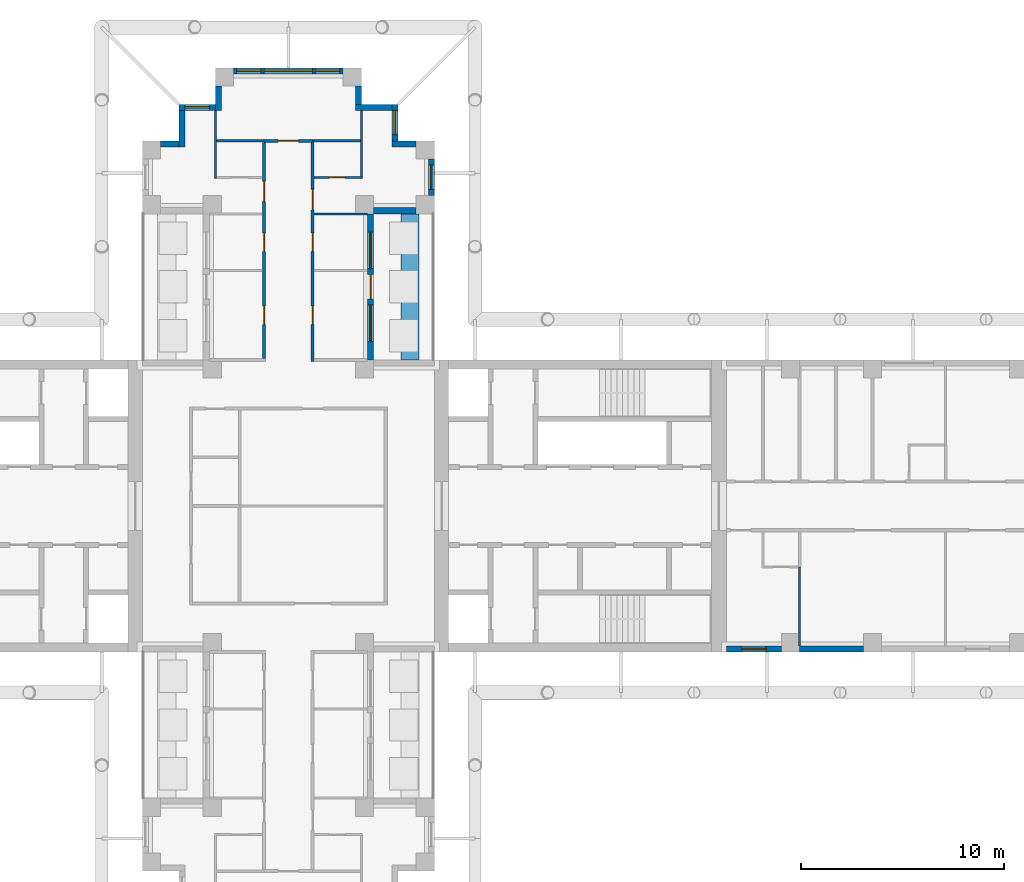
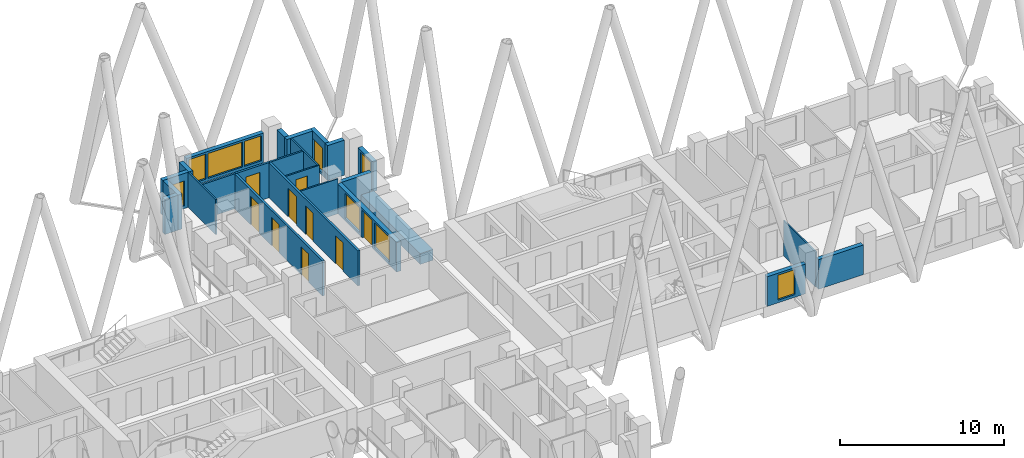
# One storey, part 8 of 13: 25 walls, 9 doors, 9 windows, 18 openings.
"""IFC4 building model written with IfcOpenShell, lengths in metres."""

from ifc_helpers import new_model, si_unit, direction, frame, frame_2d, origin, place, context, subcontext, project, spatial, rectangle, extrude, material, layer, layer_set, type_object, element, fill, save


model = new_model("IFC4")

# Units and contexts
model_context = context("Model", 3, precision=1e-05, world=origin(), true_north=direction((0.0, 1.0)))
body_context = subcontext(model_context, "Body", "Model", "MODEL_VIEW")
ifc_project = project(units=[si_unit("LENGTHUNIT", "METRE"), si_unit("AREAUNIT", "SQUARE_METRE"), si_unit("VOLUMEUNIT", "CUBIC_METRE"), si_unit("PLANEANGLEUNIT", "RADIAN"), si_unit("MASSUNIT", "GRAM", prefix="KILO")], contexts=[model_context])

# Site, building, storey
site_placement = place(None, origin())
site = spatial("IfcSite", under=ifc_project, at=site_placement, CompositionType="ELEMENT")
building_placement = place(site_placement, origin())
building = spatial("IfcBuilding", under=site, at=building_placement, Name="Fustian Cross Tower", CompositionType="ELEMENT")
storey_placement = place(building_placement, frame((0.0, 0.0, 153.300048828125)))
storey = spatial("IfcBuildingStorey", under=building, at=storey_placement, Name="L48", CompositionType="ELEMENT", Elevation=153.300048828125)

# Wall, openings, doors
ifc_material_1 = material(Name="Plasterboard on steel stud", Category="steel")
ifc_layer_1 = layer(ifc_material_1, 0.14990234375)
ifc_layer_set_1 = layer_set([ifc_layer_1], Name="Plasterboard on steel stud")
wall_type_1 = type_object("IfcWallType", Name="COMPARTMENT WALL 150 EI 60", PredefinedType="PARTITIONING", material=ifc_layer_set_1)
wall_1_placement = place(storey_placement, frame((-1.199951171875, 7.27490234375, 0.0), z_axis=(0.0, 0.0, 1.0), x_axis=(0.0, 1.0, 0.0)))
wall_1 = element("IfcWall", 1, at=wall_1_placement, inside=storey, type_object=wall_type_1, Name="Partition 38", PredefinedType="PARTITIONING", context=body_context, shape_type="SweptSolid", body=[
    extrude(rectangle(XDim=10.650146484375, YDim=0.14990234375, at=frame_2d((5.3251953125, 0.0))), origin(), (0.0, 0.0, 1.0), 2.599853515625),
])
opening_1_placement = place(wall_1_placement, frame((5.27490234375, 0.0, 0.0)))
opening_1 = element("IfcOpeningElement", 2, at=opening_1_placement, cuts=wall_1, Name="Opening D21018", PredefinedType="OPENING", context=body_context, shape_type="SweptSolid", body=[
    extrude(rectangle(XDim=0.89990234375, YDim=2.10009765625, at=frame_2d((0.449951171875, 1.050048828125))), frame((0.0, 0.0849609375, 0.0), z_axis=(0.0, -1.0, 0.0), x_axis=(1.0, 0.0, 0.0)), (0.0, 0.0, 1.0), 0.169921875),
])
opening_2_placement = place(wall_1_placement, frame((1.675048828125, 0.0, 0.0)))
opening_2 = element("IfcOpeningElement", 3, at=opening_2_placement, cuts=wall_1, Name="Opening D21019", PredefinedType="OPENING", context=body_context, shape_type="SweptSolid", body=[
    extrude(rectangle(XDim=0.89990234375, YDim=2.10009765625, at=frame_2d((0.449951171875, 1.050048828125))), frame((0.0, 0.0849609375, 0.0), z_axis=(0.0, -1.0, 0.0), x_axis=(1.0, 0.0, 0.0)), (0.0, 0.0, 1.0), 0.169921875),
])
opening_3_placement = place(wall_1_placement, frame((7.72509765625, 0.0, 0.0)))
opening_3 = element("IfcOpeningElement", 4, at=opening_3_placement, cuts=wall_1, Name="Opening D21021", PredefinedType="OPENING", context=body_context, shape_type="SweptSolid", body=[
    extrude(rectangle(XDim=1.0, YDim=2.10009765625, at=frame_2d((0.5, 1.050048828125))), frame((0.0, 0.0849609375, 0.0), z_axis=(0.0, -1.0, 0.0), x_axis=(1.0, 0.0, 0.0)), (0.0, 0.0, 1.0), 0.169921875),
])
ifc_material_2 = material(Name="Timber fire door set", Category="wood")
door_type_1 = type_object("IfcDoorType", Name="FIRE SWING DOOR 1000 FD30S", OperationType="SINGLE_SWING_LEFT", PredefinedType="DOOR", material=ifc_material_2)
door_1_placement = place(opening_3_placement, origin())
door_1 = element("IfcDoor", 5, at=door_1_placement, inside=storey, type_object=door_type_1, Name="Door D21021", OperationType="SINGLE_SWING_RIGHT", OverallHeight=2.10009765625, OverallWidth=1.0, PredefinedType="DOOR", context=body_context, shape_type="SweptSolid", body=[
    extrude(rectangle(XDim=1.0, YDim=2.10009765625, at=frame_2d((0.5, 1.050048828125))), frame((0.0, 0.02490234375, 0.0), z_axis=(0.0, -1.0, 0.0), x_axis=(1.0, 0.0, 0.0)), (0.0, 0.0, 1.0), 0.050048828125),
])
fill(opening_3, door_1)
ifc_material_3 = material(Name="Timber fire door set", Category="wood")
door_type_2 = type_object("IfcDoorType", Name="FIRE SWING DOOR 900 FD30S", OperationType="SINGLE_SWING_LEFT", PredefinedType="DOOR", material=ifc_material_3)
door_2_placement = place(opening_1_placement, origin())
door_2 = element("IfcDoor", 6, at=door_2_placement, inside=storey, type_object=door_type_2, Name="Door D21018", OperationType="SINGLE_SWING_LEFT", OverallHeight=2.10009765625, OverallWidth=0.89990234375, PredefinedType="DOOR", context=body_context, shape_type="SweptSolid", body=[
    extrude(rectangle(XDim=0.89990234375, YDim=2.10009765625, at=frame_2d((0.449951171875, 1.050048828125))), frame((0.0, 0.02490234375, 0.0), z_axis=(0.0, -1.0, 0.0), x_axis=(1.0, 0.0, 0.0)), (0.0, 0.0, 1.0), 0.050048828125),
])
fill(opening_1, door_2)
door_3_placement = place(opening_2_placement, origin())
door_3 = element("IfcDoor", 7, at=door_3_placement, inside=storey, type_object=door_type_2, Name="Door D21019", OperationType="SINGLE_SWING_LEFT", OverallHeight=2.10009765625, OverallWidth=0.89990234375, PredefinedType="DOOR", context=body_context, shape_type="SweptSolid", body=[
    extrude(rectangle(XDim=0.89990234375, YDim=2.10009765625, at=frame_2d((0.449951171875, 1.050048828125))), frame((0.0, 0.02490234375, 0.0), z_axis=(0.0, -1.0, 0.0), x_axis=(1.0, 0.0, 0.0)), (0.0, 0.0, 1.0), 0.050048828125),
])
fill(opening_2, door_3)

# Wall, opening, door
wall_2_placement = place(storey_placement, frame((-1.199951171875, 18.0, 0.0), z_axis=(0.0, 0.0, 1.0), x_axis=(1.0, 0.0, 0.0)))
wall_2 = element("IfcWall", 8, at=wall_2_placement, inside=storey, type_object=wall_type_1, Name="Partition 39", PredefinedType="PARTITIONING", context=body_context, shape_type="SweptSolid", body=[
    extrude(rectangle(XDim=2.39990234375, YDim=0.14990234375, at=frame_2d((1.199951171875, 0.0))), origin(), (0.0, 0.0, 1.0), 2.599853515625),
])
opening_4_placement = place(wall_2_placement, frame((0.699951171875, 0.0, 0.0)))
opening_4 = element("IfcOpeningElement", 9, at=opening_4_placement, cuts=wall_2, Name="Opening D21017", PredefinedType="OPENING", context=body_context, shape_type="SweptSolid", body=[
    extrude(rectangle(XDim=1.0, YDim=2.10009765625, at=frame_2d((0.5, 1.050048828125))), frame((0.0, 0.0849609375, 0.0), z_axis=(0.0, -1.0, 0.0), x_axis=(1.0, 0.0, 0.0)), (0.0, 0.0, 1.0), 0.169921875),
])
door_4_placement = place(opening_4_placement, origin())
door_4 = element("IfcDoor", 10, at=door_4_placement, inside=storey, type_object=door_type_1, Name="Door D21017", OperationType="SINGLE_SWING_LEFT", OverallHeight=2.10009765625, OverallWidth=1.0, PredefinedType="DOOR", context=body_context, shape_type="SweptSolid", body=[
    extrude(rectangle(XDim=1.0, YDim=2.10009765625, at=frame_2d((0.5, 1.050048828125))), frame((0.0, 0.02490234375, 0.0), z_axis=(0.0, -1.0, 0.0), x_axis=(1.0, 0.0, 0.0)), (0.0, 0.0, 1.0), 0.050048828125),
])
fill(opening_4, door_4)

# Wall, openings, doors
wall_3_placement = place(storey_placement, frame((1.199951171875, 7.125, 0.0), z_axis=(0.0, 0.0, 1.0), x_axis=(0.0, 1.0, 0.0)))
wall_3 = element("IfcWall", 11, at=wall_3_placement, inside=storey, type_object=wall_type_1, Name="Partition 46", PredefinedType="PARTITIONING", context=body_context, shape_type="SweptSolid", body=[
    extrude(rectangle(XDim=10.800048828125, YDim=0.14990234375, at=frame_2d((5.39990234375, 0.0))), origin(), (0.0, 0.0, 1.0), 2.599853515625),
])
opening_5_placement = place(wall_3_placement, frame((5.425048828125, 0.0, 0.0)))
opening_5 = element("IfcOpeningElement", 12, at=opening_5_placement, cuts=wall_3, Name="Opening D21022", PredefinedType="OPENING", context=body_context, shape_type="SweptSolid", body=[
    extrude(rectangle(XDim=0.89990234375, YDim=2.10009765625, at=frame_2d((0.449951171875, 1.050048828125))), frame((0.0, 0.0849609375, 0.0), z_axis=(0.0, -1.0, 0.0), x_axis=(1.0, 0.0, 0.0)), (0.0, 0.0, 1.0), 0.169921875),
])
opening_6_placement = place(wall_3_placement, frame((1.824951171875, 0.0, 0.0)))
opening_6 = element("IfcOpeningElement", 13, at=opening_6_placement, cuts=wall_3, Name="Opening D21023", PredefinedType="OPENING", context=body_context, shape_type="SweptSolid", body=[
    extrude(rectangle(XDim=0.89990234375, YDim=2.10009765625, at=frame_2d((0.449951171875, 1.050048828125))), frame((0.0, 0.0849609375, 0.0), z_axis=(0.0, -1.0, 0.0), x_axis=(1.0, 0.0, 0.0)), (0.0, 0.0, 1.0), 0.169921875),
])
opening_7_placement = place(wall_3_placement, frame((7.47509765625, 0.0, 0.0)))
opening_7 = element("IfcOpeningElement", 14, at=opening_7_placement, cuts=wall_3, Name="Opening D21025", PredefinedType="OPENING", context=body_context, shape_type="SweptSolid", body=[
    extrude(rectangle(XDim=1.0, YDim=2.10009765625, at=frame_2d((0.5, 1.050048828125))), frame((0.0, 0.0849609375, 0.0), z_axis=(0.0, -1.0, 0.0), x_axis=(1.0, 0.0, 0.0)), (0.0, 0.0, 1.0), 0.169921875),
])
door_5_placement = place(opening_7_placement, frame((1.0, 0.0, 0.0), z_axis=(0.0, 0.0, 1.0), x_axis=(-1.0, 0.0, 0.0)))
door_5 = element("IfcDoor", 15, at=door_5_placement, inside=storey, type_object=door_type_1, Name="Door D21025", OperationType="SINGLE_SWING_RIGHT", OverallHeight=2.10009765625, OverallWidth=1.0, PredefinedType="DOOR", context=body_context, shape_type="SweptSolid", body=[
    extrude(rectangle(XDim=1.0, YDim=2.10009765625, at=frame_2d((0.5, 1.050048828125))), frame((0.0, 0.02490234375, 0.0), z_axis=(0.0, -1.0, 0.0), x_axis=(1.0, 0.0, 0.0)), (0.0, 0.0, 1.0), 0.050048828125),
])
fill(opening_7, door_5)
door_6_placement = place(opening_5_placement, frame((0.89990234375, 0.0, 0.0), z_axis=(0.0, 0.0, 1.0), x_axis=(-1.0, 0.0, 0.0)))
door_6 = element("IfcDoor", 16, at=door_6_placement, inside=storey, type_object=door_type_2, Name="Door D21022", OperationType="SINGLE_SWING_RIGHT", OverallHeight=2.10009765625, OverallWidth=0.89990234375, PredefinedType="DOOR", context=body_context, shape_type="SweptSolid", body=[
    extrude(rectangle(XDim=0.89990234375, YDim=2.10009765625, at=frame_2d((0.449951171875, 1.050048828125))), frame((0.0, 0.02490234375, 0.0), z_axis=(0.0, -1.0, 0.0), x_axis=(1.0, 0.0, 0.0)), (0.0, 0.0, 1.0), 0.050048828125),
])
fill(opening_5, door_6)
door_7_placement = place(opening_6_placement, frame((0.89990234375, 0.0, 0.0), z_axis=(0.0, 0.0, 1.0), x_axis=(-1.0, 0.0, 0.0)))
door_7 = element("IfcDoor", 17, at=door_7_placement, inside=storey, type_object=door_type_2, Name="Door D21023", OperationType="SINGLE_SWING_RIGHT", OverallHeight=2.10009765625, OverallWidth=0.89990234375, PredefinedType="DOOR", context=body_context, shape_type="SweptSolid", body=[
    extrude(rectangle(XDim=0.89990234375, YDim=2.10009765625, at=frame_2d((0.449951171875, 1.050048828125))), frame((0.0, 0.02490234375, 0.0), z_axis=(0.0, -1.0, 0.0), x_axis=(1.0, 0.0, 0.0)), (0.0, 0.0, 1.0), 0.050048828125),
])
fill(opening_6, door_7)

# Walls
ifc_material_4 = material(Name="Plasterboard on steel stud", Category="steel")
ifc_layer_2 = layer(ifc_material_4, 0.10009765625)
ifc_layer_set_2 = layer_set([ifc_layer_2], Name="Plasterboard on steel stud")
wall_type_2 = type_object("IfcWallType", Name="PARTITION 100 STUD", PredefinedType="PARTITIONING", material=ifc_layer_set_2)
wall_4_placement = place(storey_placement, frame((-3.60009765625, 16.14990234375, 0.0), z_axis=(0.0, 0.0, 1.0), x_axis=(0.0, 1.0, 0.0)))
element("IfcWall", 18, at=wall_4_placement, inside=storey, type_object=wall_type_2, Name="Partition 30", PredefinedType="PARTITIONING", context=body_context, shape_type="SweptSolid", body=[
    extrude(rectangle(XDim=3.35009765625, YDim=0.10009765625, at=frame_2d((1.675048828125, 0.0))), origin(), (0.0, 0.0, 1.0), 2.599853515625),
])
wall_5_placement = place(storey_placement, frame((1.27490234375, 14.39990234375, 0.0), z_axis=(0.0, 0.0, 1.0), x_axis=(1.0, 0.0, 0.0)))
element("IfcWall", 19, at=wall_5_placement, inside=storey, type_object=wall_type_2, Name="Partition 49", PredefinedType="PARTITIONING", context=body_context, shape_type="SweptSolid", body=[
    extrude(rectangle(XDim=2.625, YDim=0.10009765625, at=frame_2d((1.3125, 0.0))), origin(), (0.0, 0.0, 1.0), 2.599853515625),
])

# Wall, opening, door
wall_6_placement = place(storey_placement, frame((1.27490234375, 16.199951171875, 0.0), z_axis=(0.0, 0.0, 1.0), x_axis=(1.0, 0.0, 0.0)))
wall_6 = element("IfcWall", 20, at=wall_6_placement, inside=storey, type_object=wall_type_2, Name="Partition 50", PredefinedType="PARTITIONING", context=body_context, shape_type="SweptSolid", body=[
    extrude(rectangle(XDim=2.375, YDim=0.10009765625, at=frame_2d((1.1875, 0.0))), origin(), (0.0, 0.0, 1.0), 2.599853515625),
])
opening_8_placement = place(wall_6_placement, frame((0.72509765625, 0.0, 0.0)))
opening_8 = element("IfcOpeningElement", 21, at=opening_8_placement, cuts=wall_6, Name="Opening D21024", PredefinedType="OPENING", context=body_context, shape_type="SweptSolid", body=[
    extrude(rectangle(XDim=0.800048828125, YDim=2.10009765625, at=frame_2d((0.39990234375, 1.050048828125))), frame((0.0, 0.06005859375, 0.0), z_axis=(0.0, -1.0, 0.0), x_axis=(1.0, 0.0, 0.0)), (0.0, 0.0, 1.0), 0.1201171875),
])
ifc_material_5 = material(Name="Painted timber", Category="wood")
door_type_3 = type_object("IfcDoorType", Name="SWING DOOR 800", OperationType="SINGLE_SWING_LEFT", PredefinedType="DOOR", material=ifc_material_5)
door_8_placement = place(opening_8_placement, origin())
door_8 = element("IfcDoor", 22, at=door_8_placement, inside=storey, type_object=door_type_3, Name="Door D21024", OperationType="SINGLE_SWING_LEFT", OverallHeight=2.10009765625, OverallWidth=0.800048828125, PredefinedType="DOOR", context=body_context, shape_type="SweptSolid", body=[
    extrude(rectangle(XDim=0.800048828125, YDim=2.10009765625, at=frame_2d((0.39990234375, 1.050048828125))), frame((0.0, 0.02490234375, 0.0), z_axis=(0.0, -1.0, 0.0), x_axis=(1.0, 0.0, 0.0)), (0.0, 0.0, 1.0), 0.050048828125),
])
fill(opening_8, door_8)

# Walls
wall_7_placement = place(storey_placement, frame((3.60009765625, 16.25, 0.0), z_axis=(0.0, 0.0, 1.0), x_axis=(0.0, 1.0, 0.0)))
element("IfcWall", 23, at=wall_7_placement, inside=storey, type_object=wall_type_2, Name="Partition 53", PredefinedType="PARTITIONING", context=body_context, shape_type="SweptSolid", body=[
    extrude(rectangle(XDim=3.25, YDim=0.10009765625, at=frame_2d((1.625, 0.0))), origin(), (0.0, 0.0, 1.0), 2.599853515625),
])
wall_8_placement = place(storey_placement, frame((25.199951171875, -6.89990234375, 0.0), z_axis=(0.0, 0.0, 1.0), x_axis=(0.0, 1.0, 0.0)))
element("IfcWall", 24, at=wall_8_placement, inside=storey, type_object=wall_type_2, Name="Partition 60", PredefinedType="PARTITIONING", context=body_context, shape_type="SweptSolid", body=[
    extrude(rectangle(XDim=3.89990234375, YDim=0.10009765625, at=frame_2d((1.949951171875, 0.0))), origin(), (0.0, 0.0, 1.0), 2.599853515625),
])
ifc_material_6 = material(Name="Concrete C40/50", Category="concrete")
ifc_layer_3 = layer(ifc_material_6, 0.89990234375)
ifc_layer_set_3 = layer_set([ifc_layer_3], Name="Concrete C40/50")
wall_type_3 = type_object("IfcWallType", Name="PK1 PLANTER 900", PredefinedType="PARAPET", material=ifc_layer_set_3)
wall_9_placement = place(storey_placement, frame((6.0, 7.199951171875, 0.0), z_axis=(0.0, 0.0, 1.0), x_axis=(0.0, 1.0, 0.0)))
element("IfcWall", 25, at=wall_9_placement, inside=storey, type_object=wall_type_3, Name="PLANTER", PredefinedType="PARAPET", context=body_context, shape_type="SweptSolid", body=[
    extrude(rectangle(XDim=7.199951171875, YDim=0.89990234375, at=frame_2d((3.60009765625, 0.0))), origin(), (0.0, 0.0, 1.0), 0.800048828125),
])
ifc_material_7 = material(Name="Plasterboard on steel stud", Category="steel")
ifc_layer_4 = layer(ifc_material_7, 0.125)
ifc_layer_set_4 = layer_set([ifc_layer_4], Name="Plasterboard on steel stud")
wall_type_4 = type_object("IfcWallType", Name="WET WALL 125 STUD", PredefinedType="PARTITIONING", material=ifc_layer_set_4)
for number, where, z_axis, x_axis, name in (
    (26, (-3.550048828125, 18.0, 0.0), (0.0, 0.0, 1.0), (1.0, 0.0, 0.0), "Partition 32"),
    (27, (1.199951171875, 18.0, 0.0), (0.0, 0.0, 1.0), (1.0, 0.0, 0.0), "Partition 51"),
):
    element("IfcWall", number, at=place(storey_placement, frame(where, z_axis=z_axis, x_axis=x_axis)), inside=storey, type_object=wall_type_4, Name=name, PredefinedType="PARTITIONING", context=body_context, shape_type="SweptSolid", body=[
        extrude(rectangle(XDim=2.35009765625, YDim=0.125, at=frame_2d((1.175048828125, 0.0))), origin(), (0.0, 0.0, 1.0), 2.599853515625),
    ])

# Wall, opening, window
ifc_material_8 = material(Name="Dark aluminium cladding on insulated backing wall", Category="aluminium")
ifc_layer_5 = layer(ifc_material_8, 0.300048828125)
ifc_layer_set_5 = layer_set([ifc_layer_5], Name="Dark aluminium cladding on insulated backing wall")
wall_type_5 = type_object("IfcWallType", Name="XW1 EXTERNAL WALL 300", PredefinedType="SOLIDWALL", material=ifc_layer_set_5)
wall_10_placement = place(storey_placement, frame((21.60009765625, -7.050048828125, 0.0), z_axis=(0.0, 0.0, 1.0), x_axis=(1.0, 0.0, 0.0)))
wall_10 = element("IfcWall", 28, at=wall_10_placement, inside=storey, type_object=wall_type_5, Name="External wall", PredefinedType="SOLIDWALL", context=body_context, shape_type="SweptSolid", body=[
    extrude(rectangle(XDim=2.699951171875, YDim=0.300048828125, at=frame_2d((1.35009765625, 0.0))), origin(), (0.0, 0.0, 1.0), 2.199951171875),
])
opening_9_placement = place(wall_10_placement, frame((0.75, 0.0, 0.199951171875)))
opening_9 = element("IfcOpeningElement", 29, at=opening_9_placement, cuts=wall_10, Name="Opening WN3", PredefinedType="OPENING", context=body_context, shape_type="SweptSolid", body=[
    extrude(rectangle(XDim=1.199951171875, YDim=1.85009765625, at=frame_2d((0.60009765625, 0.925048828125))), frame((0.0, 0.159912109375, 0.0), z_axis=(0.0, -1.0, 0.0), x_axis=(1.0, 0.0, 0.0)), (0.0, 0.0, 1.0), 0.320068359375),
])
ifc_material_9 = material(Name="Dark anodised aluminium and double glazing", Category="aluminium")
window_type_1 = type_object("IfcWindowType", Name="WN3 WINDOW 1200X1850", PartitioningType="SINGLE_PANEL", PredefinedType="WINDOW", material=ifc_material_9)
window_1_placement = place(opening_9_placement, origin())
window_1 = element("IfcWindow", 30, at=window_1_placement, inside=storey, type_object=window_type_1, Name="Window", OverallHeight=1.85009765625, OverallWidth=1.199951171875, PartitioningType="SINGLE_PANEL", PredefinedType="WINDOW", context=body_context, shape_type="SweptSolid", body=[
    extrude(rectangle(XDim=1.199951171875, YDim=1.85009765625, at=frame_2d((0.60009765625, 0.925048828125))), frame((0.0, 0.030029296875, 0.0), z_axis=(0.0, -1.0, 0.0), x_axis=(1.0, 0.0, 0.0)), (0.0, 0.0, 1.0), 0.06005859375),
])
fill(opening_9, window_1)

# Wall
wall_11_placement = place(storey_placement, frame((25.199951171875, -7.050048828125, 0.0), z_axis=(0.0, 0.0, 1.0), x_axis=(1.0, 0.0, 0.0)))
element("IfcWall", 31, at=wall_11_placement, inside=storey, type_object=wall_type_5, Name="External wall", PredefinedType="SOLIDWALL", context=body_context, shape_type="SweptSolid", body=[
    extrude(rectangle(XDim=3.150146484375, YDim=0.300048828125, at=frame_2d((1.5751953125, 0.0))), origin(), (0.0, 0.0, 1.0), 2.199951171875),
])

# Wall, openings, door, windows
wall_12_placement = place(storey_placement, frame((4.050048828125, 7.199951171875, 0.0), z_axis=(0.0, 0.0, 1.0), x_axis=(0.0, 1.0, 0.0)))
wall_12 = element("IfcWall", 32, at=wall_12_placement, inside=storey, type_object=wall_type_5, Name="External wall", PredefinedType="SOLIDWALL", context=body_context, shape_type="SweptSolid", body=[
    extrude(rectangle(XDim=7.199951171875, YDim=0.300048828125, at=frame_2d((3.60009765625, 0.0))), origin(), (0.0, 0.0, 1.0), 2.199951171875),
])
opening_10_placement = place(wall_12_placement, frame((3.0, 0.0, 0.0)))
opening_10 = element("IfcOpeningElement", 33, at=opening_10_placement, cuts=wall_12, Name="Opening XD1", PredefinedType="OPENING", context=body_context, shape_type="SweptSolid", body=[
    extrude(rectangle(XDim=1.199951171875, YDim=2.050048828125, at=frame_2d((0.60009765625, 1.02490234375))), frame((0.0, 0.159912109375, 0.0), z_axis=(0.0, -1.0, 0.0), x_axis=(1.0, 0.0, 0.0)), (0.0, 0.0, 1.0), 0.320068359375),
])
opening_11_placement = place(wall_12_placement, frame((0.89990234375, 0.0, 0.199951171875)))
opening_11 = element("IfcOpeningElement", 34, at=opening_11_placement, cuts=wall_12, Name="Opening WN2", PredefinedType="OPENING", context=body_context, shape_type="SweptSolid", body=[
    extrude(rectangle(XDim=1.800048828125, YDim=1.85009765625, at=frame_2d((0.89990234375, 0.925048828125))), frame((0.0, 0.159912109375, 0.0), z_axis=(0.0, -1.0, 0.0), x_axis=(1.0, 0.0, 0.0)), (0.0, 0.0, 1.0), 0.320068359375),
])
opening_12_placement = place(wall_12_placement, frame((4.5, 0.0, 0.199951171875)))
opening_12 = element("IfcOpeningElement", 35, at=opening_12_placement, cuts=wall_12, Name="Opening WN2", PredefinedType="OPENING", context=body_context, shape_type="SweptSolid", body=[
    extrude(rectangle(XDim=1.800048828125, YDim=1.85009765625, at=frame_2d((0.89990234375, 0.925048828125))), frame((0.0, 0.159912109375, 0.0), z_axis=(0.0, -1.0, 0.0), x_axis=(1.0, 0.0, 0.0)), (0.0, 0.0, 1.0), 0.320068359375),
])
ifc_material_10 = material(Name="Dark anodised aluminium and double glazing", Category="aluminium")
door_type_4 = type_object("IfcDoorType", Name="ED1 BALCONY DOOR 1200X2050", OperationType="SINGLE_SWING_LEFT", PredefinedType="DOOR", material=ifc_material_10)
door_9_placement = place(opening_10_placement, origin())
door_9 = element("IfcDoor", 36, at=door_9_placement, inside=storey, type_object=door_type_4, Name="Balcony door", OperationType="SINGLE_SWING_LEFT", OverallHeight=2.050048828125, OverallWidth=1.199951171875, PredefinedType="DOOR", context=body_context, shape_type="SweptSolid", body=[
    extrude(rectangle(XDim=1.199951171875, YDim=2.050048828125, at=frame_2d((0.60009765625, 1.02490234375))), frame((0.0, 0.02490234375, 0.0), z_axis=(0.0, -1.0, 0.0), x_axis=(1.0, 0.0, 0.0)), (0.0, 0.0, 1.0), 0.050048828125),
])
fill(opening_10, door_9)
ifc_material_11 = material(Name="Dark anodised aluminium and double glazing", Category="aluminium")
window_type_2 = type_object("IfcWindowType", Name="WN2 WINDOW 1800X1850", PartitioningType="SINGLE_PANEL", PredefinedType="WINDOW", material=ifc_material_11)
window_2_placement = place(opening_11_placement, origin())
window_2 = element("IfcWindow", 37, at=window_2_placement, inside=storey, type_object=window_type_2, Name="Window", OverallHeight=1.85009765625, OverallWidth=1.800048828125, PartitioningType="SINGLE_PANEL", PredefinedType="WINDOW", context=body_context, shape_type="SweptSolid", body=[
    extrude(rectangle(XDim=1.800048828125, YDim=1.85009765625, at=frame_2d((0.89990234375, 0.925048828125))), frame((0.0, 0.030029296875, 0.0), z_axis=(0.0, -1.0, 0.0), x_axis=(1.0, 0.0, 0.0)), (0.0, 0.0, 1.0), 0.06005859375),
])
fill(opening_11, window_2)
window_3_placement = place(opening_12_placement, origin())
window_3 = element("IfcWindow", 38, at=window_3_placement, inside=storey, type_object=window_type_2, Name="Window", OverallHeight=1.85009765625, OverallWidth=1.800048828125, PartitioningType="SINGLE_PANEL", PredefinedType="WINDOW", context=body_context, shape_type="SweptSolid", body=[
    extrude(rectangle(XDim=1.800048828125, YDim=1.85009765625, at=frame_2d((0.89990234375, 0.925048828125))), frame((0.0, 0.030029296875, 0.0), z_axis=(0.0, -1.0, 0.0), x_axis=(1.0, 0.0, 0.0)), (0.0, 0.0, 1.0), 0.06005859375),
])
fill(opening_12, window_3)

# Wall
wall_13_placement = place(storey_placement, frame((4.199951171875, 14.550048828125, 0.0), z_axis=(0.0, 0.0, 1.0), x_axis=(1.0, 0.0, 0.0)))
element("IfcWall", 39, at=wall_13_placement, inside=storey, type_object=wall_type_5, Name="External wall", PredefinedType="SOLIDWALL", context=body_context, shape_type="SweptSolid", body=[
    extrude(rectangle(XDim=2.10009765625, YDim=0.300048828125, at=frame_2d((1.050048828125, 0.0))), origin(), (0.0, 0.0, 1.0), 2.199951171875),
])

# Wall, opening, window
wall_14_placement = place(storey_placement, frame((7.050048828125, 15.300048828125, 0.0), z_axis=(0.0, 0.0, 1.0), x_axis=(0.0, 1.0, 0.0)))
wall_14 = element("IfcWall", 40, at=wall_14_placement, inside=storey, type_object=wall_type_5, Name="External wall", PredefinedType="SOLIDWALL", context=body_context, shape_type="SweptSolid", body=[
    extrude(rectangle(XDim=1.800048828125, YDim=0.300048828125, at=frame_2d((0.89990234375, 0.0))), origin(), (0.0, 0.0, 1.0), 2.199951171875),
])
opening_13_placement = place(wall_14_placement, frame((0.300048828125, 0.0, 0.199951171875)))
opening_13 = element("IfcOpeningElement", 41, at=opening_13_placement, cuts=wall_14, Name="Opening WN3", PredefinedType="OPENING", context=body_context, shape_type="SweptSolid", body=[
    extrude(rectangle(XDim=1.199951171875, YDim=1.85009765625, at=frame_2d((0.60009765625, 0.925048828125))), frame((0.0, 0.159912109375, 0.0), z_axis=(0.0, -1.0, 0.0), x_axis=(1.0, 0.0, 0.0)), (0.0, 0.0, 1.0), 0.320068359375),
])
window_4_placement = place(opening_13_placement, origin())
window_4 = element("IfcWindow", 42, at=window_4_placement, inside=storey, type_object=window_type_1, Name="Window", OverallHeight=1.85009765625, OverallWidth=1.199951171875, PartitioningType="SINGLE_PANEL", PredefinedType="WINDOW", context=body_context, shape_type="SweptSolid", body=[
    extrude(rectangle(XDim=1.199951171875, YDim=1.85009765625, at=frame_2d((0.60009765625, 0.925048828125))), frame((0.0, 0.030029296875, 0.0), z_axis=(0.0, -1.0, 0.0), x_axis=(1.0, 0.0, 0.0)), (0.0, 0.0, 1.0), 0.06005859375),
])
fill(opening_13, window_4)

# Wall
wall_15_placement = place(storey_placement, frame((6.300048828125, 17.85009765625, 0.0), z_axis=(0.0, 0.0, 1.0), x_axis=(-1.0, 0.0, 0.0)))
element("IfcWall", 43, at=wall_15_placement, inside=storey, type_object=wall_type_5, Name="External wall", PredefinedType="SOLIDWALL", context=body_context, shape_type="SweptSolid", body=[
    extrude(rectangle(XDim=1.199951171875, YDim=0.300048828125, at=frame_2d((0.60009765625, 0.0))), origin(), (0.0, 0.0, 1.0), 2.599853515625),
])

# Wall, opening, window
wall_16_placement = place(storey_placement, frame((5.25, 18.0, 0.0), z_axis=(0.0, 0.0, 1.0), x_axis=(0.0, 1.0, 0.0)))
wall_16 = element("IfcWall", 44, at=wall_16_placement, inside=storey, type_object=wall_type_5, Name="External wall", PredefinedType="SOLIDWALL", context=body_context, shape_type="SweptSolid", body=[
    extrude(rectangle(XDim=1.800048828125, YDim=0.300048828125, at=frame_2d((0.89990234375, 0.0))), origin(), (0.0, 0.0, 1.0), 2.599853515625),
])
opening_14_placement = place(wall_16_placement, frame((0.300048828125, 0.0, 0.199951171875)))
opening_14 = element("IfcOpeningElement", 45, at=opening_14_placement, cuts=wall_16, Name="Opening WN3", PredefinedType="OPENING", context=body_context, shape_type="SweptSolid", body=[
    extrude(rectangle(XDim=1.199951171875, YDim=1.85009765625, at=frame_2d((0.60009765625, 0.925048828125))), frame((0.0, 0.159912109375, 0.0), z_axis=(0.0, -1.0, 0.0), x_axis=(1.0, 0.0, 0.0)), (0.0, 0.0, 1.0), 0.320068359375),
])
window_5_placement = place(opening_14_placement, origin())
window_5 = element("IfcWindow", 46, at=window_5_placement, inside=storey, type_object=window_type_1, Name="Window", OverallHeight=1.85009765625, OverallWidth=1.199951171875, PartitioningType="SINGLE_PANEL", PredefinedType="WINDOW", context=body_context, shape_type="SweptSolid", body=[
    extrude(rectangle(XDim=1.199951171875, YDim=1.85009765625, at=frame_2d((0.60009765625, 0.925048828125))), frame((0.0, 0.030029296875, 0.0), z_axis=(0.0, -1.0, 0.0), x_axis=(1.0, 0.0, 0.0)), (0.0, 0.0, 1.0), 0.06005859375),
])
fill(opening_14, window_5)

# Walls
wall_17_placement = place(storey_placement, frame((5.10009765625, 19.64990234375, 0.0), z_axis=(0.0, 0.0, 1.0), x_axis=(-1.0, 0.0, 0.0)))
element("IfcWall", 47, at=wall_17_placement, inside=storey, type_object=wall_type_5, Name="External wall", PredefinedType="SOLIDWALL", context=body_context, shape_type="SweptSolid", body=[
    extrude(rectangle(XDim=1.800048828125, YDim=0.300048828125, at=frame_2d((0.89990234375, 0.0))), origin(), (0.0, 0.0, 1.0), 2.599853515625),
])
wall_18_placement = place(storey_placement, frame((3.449951171875, 19.800048828125, 0.0), z_axis=(0.0, 0.0, 1.0), x_axis=(0.0, 1.0, 0.0)))
element("IfcWall", 48, at=wall_18_placement, inside=storey, type_object=wall_type_5, Name="External wall", PredefinedType="SOLIDWALL", context=body_context, shape_type="SweptSolid", body=[
    extrude(rectangle(XDim=0.89990234375, YDim=0.300048828125, at=frame_2d((0.449951171875, 0.0))), origin(), (0.0, 0.0, 1.0), 2.599853515625),
])

# Wall, openings, windows
wall_19_placement = place(storey_placement, frame((2.699951171875, 21.449951171875, 0.0), z_axis=(0.0, 0.0, 1.0), x_axis=(-1.0, 0.0, 0.0)))
wall_19 = element("IfcWall", 49, at=wall_19_placement, inside=storey, type_object=wall_type_5, Name="External wall", PredefinedType="SOLIDWALL", context=body_context, shape_type="SweptSolid", body=[
    extrude(rectangle(XDim=5.39990234375, YDim=0.300048828125, at=frame_2d((2.699951171875, 0.0))), origin(), (0.0, 0.0, 1.0), 2.199951171875),
])
opening_15_placement = place(wall_19_placement, frame((1.5, 0.0, 0.199951171875)))
opening_15 = element("IfcOpeningElement", 50, at=opening_15_placement, cuts=wall_19, Name="Opening WN1", PredefinedType="OPENING", context=body_context, shape_type="SweptSolid", body=[
    extrude(rectangle(XDim=2.39990234375, YDim=1.85009765625, at=frame_2d((1.199951171875, 0.925048828125))), frame((0.0, 0.159912109375, 0.0), z_axis=(0.0, -1.0, 0.0), x_axis=(1.0, 0.0, 0.0)), (0.0, 0.0, 1.0), 0.320068359375),
])
opening_16_placement = place(wall_19_placement, frame((0.14990234375, 0.0, 0.199951171875)))
opening_16 = element("IfcOpeningElement", 51, at=opening_16_placement, cuts=wall_19, Name="Opening WN3", PredefinedType="OPENING", context=body_context, shape_type="SweptSolid", body=[
    extrude(rectangle(XDim=1.199951171875, YDim=1.85009765625, at=frame_2d((0.60009765625, 0.925048828125))), frame((0.0, 0.159912109375, 0.0), z_axis=(0.0, -1.0, 0.0), x_axis=(1.0, 0.0, 0.0)), (0.0, 0.0, 1.0), 0.320068359375),
])
opening_17_placement = place(wall_19_placement, frame((4.050048828125, 0.0, 0.199951171875)))
opening_17 = element("IfcOpeningElement", 52, at=opening_17_placement, cuts=wall_19, Name="Opening WN3", PredefinedType="OPENING", context=body_context, shape_type="SweptSolid", body=[
    extrude(rectangle(XDim=1.199951171875, YDim=1.85009765625, at=frame_2d((0.60009765625, 0.925048828125))), frame((0.0, 0.159912109375, 0.0), z_axis=(0.0, -1.0, 0.0), x_axis=(1.0, 0.0, 0.0)), (0.0, 0.0, 1.0), 0.320068359375),
])
ifc_material_12 = material(Name="Dark anodised aluminium and double glazing", Category="aluminium")
window_type_3 = type_object("IfcWindowType", Name="WN1 WINDOW 2400X1850", PartitioningType="SINGLE_PANEL", PredefinedType="WINDOW", material=ifc_material_12)
window_6_placement = place(opening_15_placement, origin())
window_6 = element("IfcWindow", 53, at=window_6_placement, inside=storey, type_object=window_type_3, Name="Window", OverallHeight=1.85009765625, OverallWidth=2.39990234375, PartitioningType="SINGLE_PANEL", PredefinedType="WINDOW", context=body_context, shape_type="SweptSolid", body=[
    extrude(rectangle(XDim=2.39990234375, YDim=1.85009765625, at=frame_2d((1.199951171875, 0.925048828125))), frame((0.0, 0.030029296875, 0.0), z_axis=(0.0, -1.0, 0.0), x_axis=(1.0, 0.0, 0.0)), (0.0, 0.0, 1.0), 0.06005859375),
])
fill(opening_15, window_6)
window_7_placement = place(opening_16_placement, origin())
window_7 = element("IfcWindow", 54, at=window_7_placement, inside=storey, type_object=window_type_1, Name="Window", OverallHeight=1.85009765625, OverallWidth=1.199951171875, PartitioningType="SINGLE_PANEL", PredefinedType="WINDOW", context=body_context, shape_type="SweptSolid", body=[
    extrude(rectangle(XDim=1.199951171875, YDim=1.85009765625, at=frame_2d((0.60009765625, 0.925048828125))), frame((0.0, 0.030029296875, 0.0), z_axis=(0.0, -1.0, 0.0), x_axis=(1.0, 0.0, 0.0)), (0.0, 0.0, 1.0), 0.06005859375),
])
fill(opening_16, window_7)
window_8_placement = place(opening_17_placement, origin())
window_8 = element("IfcWindow", 55, at=window_8_placement, inside=storey, type_object=window_type_1, Name="Window", OverallHeight=1.85009765625, OverallWidth=1.199951171875, PartitioningType="SINGLE_PANEL", PredefinedType="WINDOW", context=body_context, shape_type="SweptSolid", body=[
    extrude(rectangle(XDim=1.199951171875, YDim=1.85009765625, at=frame_2d((0.60009765625, 0.925048828125))), frame((0.0, 0.030029296875, 0.0), z_axis=(0.0, -1.0, 0.0), x_axis=(1.0, 0.0, 0.0)), (0.0, 0.0, 1.0), 0.06005859375),
])
fill(opening_17, window_8)

# Wall
wall_20_placement = place(storey_placement, frame((-3.449951171875, 20.699951171875, 0.0), z_axis=(0.0, 0.0, 1.0), x_axis=(0.0, -1.0, 0.0)))
element("IfcWall", 56, at=wall_20_placement, inside=storey, type_object=wall_type_5, Name="External wall", PredefinedType="SOLIDWALL", context=body_context, shape_type="SweptSolid", body=[
    extrude(rectangle(XDim=1.199951171875, YDim=0.300048828125, at=frame_2d((0.60009765625, 0.0))), origin(), (0.0, 0.0, 1.0), 2.599853515625),
])

# Wall, opening, window
wall_21_placement = place(storey_placement, frame((-3.60009765625, 19.64990234375, 0.0), z_axis=(0.0, 0.0, 1.0), x_axis=(-1.0, 0.0, 0.0)))
wall_21 = element("IfcWall", 57, at=wall_21_placement, inside=storey, type_object=wall_type_5, Name="External wall", PredefinedType="SOLIDWALL", context=body_context, shape_type="SweptSolid", body=[
    extrude(rectangle(XDim=1.7998046875, YDim=0.300048828125, at=frame_2d((0.89990234375, 0.0))), origin(), (0.0, 0.0, 1.0), 2.599853515625),
])
opening_18_placement = place(wall_21_placement, frame((0.300048828125, 0.0, 0.199951171875)))
opening_18 = element("IfcOpeningElement", 58, at=opening_18_placement, cuts=wall_21, Name="Opening WN3", PredefinedType="OPENING", context=body_context, shape_type="SweptSolid", body=[
    extrude(rectangle(XDim=1.199951171875, YDim=1.85009765625, at=frame_2d((0.60009765625, 0.925048828125))), frame((0.0, 0.159912109375, 0.0), z_axis=(0.0, -1.0, 0.0), x_axis=(1.0, 0.0, 0.0)), (0.0, 0.0, 1.0), 0.320068359375),
])
window_9_placement = place(opening_18_placement, origin())
window_9 = element("IfcWindow", 59, at=window_9_placement, inside=storey, type_object=window_type_1, Name="Window", OverallHeight=1.85009765625, OverallWidth=1.199951171875, PartitioningType="SINGLE_PANEL", PredefinedType="WINDOW", context=body_context, shape_type="SweptSolid", body=[
    extrude(rectangle(XDim=1.199951171875, YDim=1.85009765625, at=frame_2d((0.60009765625, 0.925048828125))), frame((0.0, 0.030029296875, 0.0), z_axis=(0.0, -1.0, 0.0), x_axis=(1.0, 0.0, 0.0)), (0.0, 0.0, 1.0), 0.06005859375),
])
fill(opening_18, window_9)

# Walls
wall_22_placement = place(storey_placement, frame((-5.25, 19.5, 0.0), z_axis=(0.0, 0.0, 1.0), x_axis=(0.0, -1.0, 0.0)))
element("IfcWall", 60, at=wall_22_placement, inside=storey, type_object=wall_type_5, Name="External wall", PredefinedType="SOLIDWALL", context=body_context, shape_type="SweptSolid", body=[
    extrude(rectangle(XDim=1.800048828125, YDim=0.300048828125, at=frame_2d((0.89990234375, 0.0))), origin(), (0.0, 0.0, 1.0), 2.599853515625),
])
wall_23_placement = place(storey_placement, frame((-5.39990234375, 17.85009765625, 0.0), z_axis=(0.0, 0.0, 1.0), x_axis=(-1.0, 0.0, 0.0)))
element("IfcWall", 61, at=wall_23_placement, inside=storey, type_object=wall_type_5, Name="External wall", PredefinedType="SOLIDWALL", context=body_context, shape_type="SweptSolid", body=[
    extrude(rectangle(XDim=0.900146484375, YDim=0.300048828125, at=frame_2d((0.4501953125, 0.0))), origin(), (0.0, 0.0, 1.0), 2.599853515625),
])

save(model, "model.ifc")
